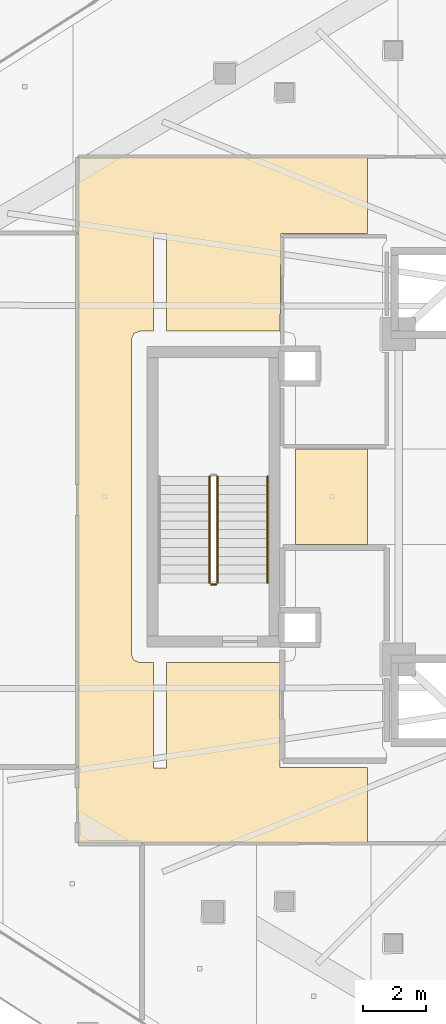
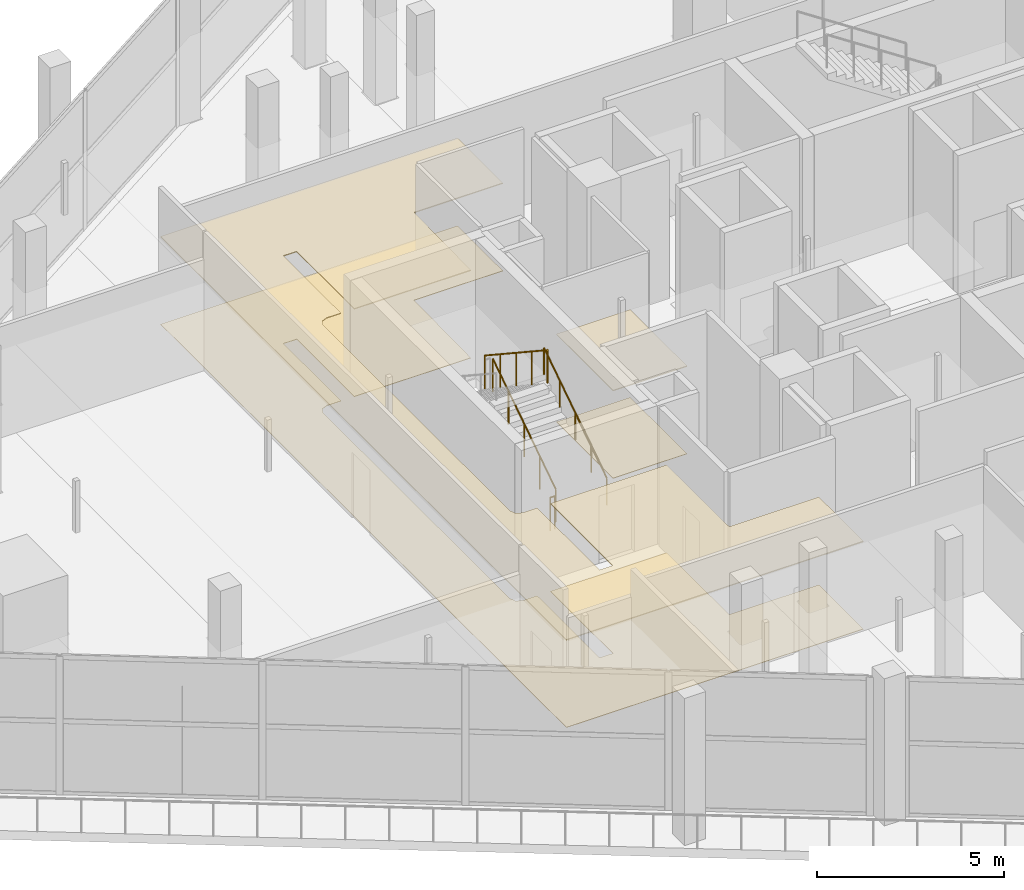
# One storey, part 34 of 42: 4 coverings, 4 railings.
"""IFC4 building model written with IfcOpenShell, lengths in metres."""

from ifc_helpers import new_model, si_unit, direction, frame, origin, origin_2d, place, context, subcontext, project, spatial, polyline, circle, outline, extrude, material, layer, layer_set, type_object, element, save


model = new_model("IFC4")

# Units and contexts
model_context = context("Model", 3, precision=1e-05, world=origin(), true_north=direction((0.0, 1.0)))
body_context = subcontext(model_context, "Body", "Model", "MODEL_VIEW")
ifc_project = project(units=[si_unit("LENGTHUNIT", "METRE"), si_unit("AREAUNIT", "SQUARE_METRE"), si_unit("VOLUMEUNIT", "CUBIC_METRE"), si_unit("PLANEANGLEUNIT", "RADIAN"), si_unit("MASSUNIT", "GRAM", prefix="KILO")], contexts=[model_context])

# Site, building, storey
site_placement = place(None, origin())
site = spatial("IfcSite", under=ifc_project, at=site_placement, CompositionType="ELEMENT")
building_placement = place(site_placement, origin())
building = spatial("IfcBuilding", under=site, at=building_placement, Name="Qorvath Tower", CompositionType="ELEMENT")
storey_placement = place(building_placement, frame((0.0, 0.0, 105.0)))
storey = spatial("IfcBuildingStorey", under=building, at=storey_placement, Name="L23", CompositionType="ELEMENT", Elevation=105.0)

# Coverings
ifc_material_1 = material(Name="Acoustic mineral fibre ceiling tile", Category="gypsum")
ifc_layer_1 = layer(ifc_material_1, 0.030029296875)
ifc_layer_set_1 = layer_set([ifc_layer_1], Name="COV-CEIL")
covering_type_1 = type_object("IfcCoveringType", Name="COV-CEIL", PredefinedType="CEILING", material=ifc_layer_set_1)
covering_1_placement = place(storey_placement, frame((0.0, 0.0, 2.85009765625)))
element("IfcCovering", 1, at=covering_1_placement, inside=storey, type_object=covering_type_1, Name="L23 Suspended Acoustic Ceiling 005", PredefinedType="CEILING", context=body_context, shape_type="SweptSolid", body=[
    extrude(outline(polyline([(-31.481689453125, -10.945068359375), (-31.481689453125, -8.564697265625), (-34.25, -8.56494140625), (-34.2548828125, -5.239990234375), (-37.844970703125, -5.239990234375), (-37.844970703125, -8.580078125), (-38.2548828125, -8.580078125), (-38.2548828125, -5.239990234375), (-38.699951171875, -5.239990234375), (-38.876708984375, -5.166748046875), (-38.949951171875, -4.989990234375), (-38.949951171875, 4.989990234375), (-38.876708984375, 5.166748046875), (-38.699951171875, 5.239990234375), (-38.2548828125, 5.239990234375), (-38.25341796875, 8.323486328125), (-37.844970703125, 8.320068359375), (-37.844970703125, 5.239990234375), (-34.2509765625, 5.239990234375), (-34.219970703125, 8.324951171875), (-31.481689453125, 8.324951171875), (-31.481689453125, 10.7451171875), (-40.64501953125, 10.7451171875), (-40.64501953125, -10.945068359375), (-31.481689453125, -10.945068359375)])), origin(), (0.0, 0.0, 1.0), 0.030029296875),
])
covering_2_placement = place(storey_placement, frame((0.0, 0.0, 2.85009765625)))
element("IfcCovering", 2, at=covering_2_placement, inside=storey, type_object=covering_type_1, Name="L23 Suspended Acoustic Ceiling 006", PredefinedType="CEILING", context=body_context, shape_type="SweptSolid", body=[
    extrude(outline(polyline([(-31.481689453125, -1.514892578125), (-31.481689453125, 1.514892578125), (-33.760009765625, 1.514892578125), (-33.760009765625, -1.514892578125), (-31.481689453125, -1.514892578125)])), origin(), (0.0, 0.0, 1.0), 0.030029296875),
])
ifc_material_2 = material(Name="Polished epoxy terrazzo flooring", Category="concrete")
ifc_layer_2 = layer(ifc_material_2, 0.02001953125)
ifc_layer_set_2 = layer_set([ifc_layer_2], Name="COV-FLOOR-TRZ")
covering_type_2 = type_object("IfcCoveringType", Name="COV-FLOOR-TRZ", PredefinedType="FLOORING", material=ifc_layer_set_2)
covering_3_placement = place(storey_placement, origin())
element("IfcCovering", 3, at=covering_3_placement, inside=storey, type_object=covering_type_2, Name="L23 Floor Finish 005", PredefinedType="FLOORING", context=body_context, shape_type="SweptSolid", body=[
    extrude(outline(polyline([(-31.481689453125, -10.945068359375), (-31.481689453125, -8.564697265625), (-34.25, -8.56494140625), (-34.2548828125, -5.239990234375), (-37.844970703125, -5.239990234375), (-37.844970703125, -8.580078125), (-38.2548828125, -8.580078125), (-38.2548828125, -5.239990234375), (-38.699951171875, -5.239990234375), (-38.876708984375, -5.166748046875), (-38.949951171875, -4.989990234375), (-38.949951171875, 4.989990234375), (-38.876708984375, 5.166748046875), (-38.699951171875, 5.239990234375), (-38.2548828125, 5.239990234375), (-38.25341796875, 8.323486328125), (-37.844970703125, 8.320068359375), (-37.844970703125, 5.239990234375), (-34.2509765625, 5.239990234375), (-34.219970703125, 8.324951171875), (-31.481689453125, 8.324951171875), (-31.481689453125, 10.7451171875), (-40.64501953125, 10.7451171875), (-40.64501953125, -10.945068359375), (-31.481689453125, -10.945068359375)])), origin(), (0.0, 0.0, 1.0), 0.014892578125),
])
covering_4_placement = place(storey_placement, origin())
element("IfcCovering", 4, at=covering_4_placement, inside=storey, type_object=covering_type_2, Name="L23 Floor Finish 006", PredefinedType="FLOORING", context=body_context, shape_type="SweptSolid", body=[
    extrude(outline(polyline([(-31.481689453125, -1.514892578125), (-31.481689453125, 1.514892578125), (-33.760009765625, 1.514892578125), (-33.760009765625, -1.514892578125), (-31.481689453125, -1.514892578125)])), origin(), (0.0, 0.0, 1.0), 0.014892578125),
])

# Railings
ifc_material_3 = material(Name="Painted galvanised steel", Category="steel")
railing_type_1 = type_object("IfcRailingType", Name="RL-STR-GRD", PredefinedType="GUARDRAIL", material=ifc_material_3)
railing_1_placement = place(storey_placement, frame((-36.22998046875, -2.719970703125, 0.1845703125)))
element("IfcRailing", 5, at=railing_1_placement, inside=storey, type_object=railing_type_1, Name="L23 TS3 stair guard 1", PredefinedType="GUARDRAIL", context=body_context, shape_type="SweptSolid", body=[
    extrude(circle(Radius=0.02392578125, at=origin_2d()), frame((0.0, 0.0, 1.076171875), z_axis=(0.0, 0.834858096282, 0.550465220583), x_axis=(-1.0, 0.0, 0.0)), (0.0, 0.0, 1.0), 4.0244140625),
    extrude(circle(Radius=0.02099609375, at=origin_2d()), origin(), (0.0, 0.0, 1.0), 1.052001953125),
    extrude(circle(Radius=0.02099609375, at=origin_2d()), frame((0.0, 0.83984375, 0.5537109375)), (0.0, 0.0, 1.0), 1.052001953125),
    extrude(circle(Radius=0.02099609375, at=origin_2d()), frame((0.0, 1.679931640625, 1.107666015625)), (0.0, 0.0, 1.0), 1.052001953125),
    extrude(circle(Radius=0.02099609375, at=origin_2d()), frame((0.0, 2.52001953125, 1.66162109375)), (0.0, 0.0, 1.0), 1.052001953125),
    extrude(circle(Radius=0.02099609375, at=origin_2d()), frame((0.0, 3.35986328125, 2.21533203125)), (0.0, 0.0, 1.0), 1.052001953125),
])
railing_2_placement = place(storey_placement, frame((-36.47998046875, 0.639892578125, 2.584716796875)))
element("IfcRailing", 6, at=railing_2_placement, inside=storey, type_object=railing_type_1, Name="L23 TS3 stair guard 3", PredefinedType="GUARDRAIL", context=body_context, shape_type="SweptSolid", body=[
    extrude(circle(Radius=0.02392578125, at=origin_2d()), frame((0.0, 0.0, 1.076171875), z_axis=(0.0, -0.834858096282, 0.550465220583), x_axis=(1.0, 0.0, 0.0)), (0.0, 0.0, 1.0), 4.0244140625),
    extrude(circle(Radius=0.02099609375, at=origin_2d()), origin(), (0.0, 0.0, 1.0), 1.052001953125),
    extrude(circle(Radius=0.02099609375, at=origin_2d()), frame((0.0, -0.83984375, 0.5537109375)), (0.0, 0.0, 1.0), 1.052001953125),
    extrude(circle(Radius=0.02099609375, at=origin_2d()), frame((0.0, -1.679931640625, 1.107666015625)), (0.0, 0.0, 1.0), 1.052001953125),
    extrude(circle(Radius=0.02099609375, at=origin_2d()), frame((0.0, -2.52001953125, 1.66162109375)), (0.0, 0.0, 1.0), 1.052001953125),
    extrude(circle(Radius=0.02099609375, at=origin_2d()), frame((0.0, -3.35986328125, 2.21533203125)), (0.0, 0.0, 1.0), 1.052001953125),
])
railing_3_placement = place(storey_placement, frame((-36.280029296875, -2.77001953125, 0.0)))
element("IfcRailing", 7, at=railing_3_placement, inside=storey, type_object=railing_type_1, Name="L23 TS3 stair guard 4", PredefinedType="GUARDRAIL", context=body_context, shape_type="SweptSolid", body=[
    extrude(circle(Radius=0.02392578125, at=origin_2d()), frame((0.0, 0.0, 1.076171875), z_axis=(-1.0, 0.0, 0.0), x_axis=(0.0, -1.0, 0.0)), (0.0, 0.0, 1.0), 0.14990234375),
    extrude(circle(Radius=0.02099609375, at=origin_2d()), origin(), (0.0, 0.0, 1.0), 1.052001953125),
    extrude(circle(Radius=0.02099609375, at=origin_2d()), frame((-0.14990234375, 0.0, 0.0)), (0.0, 0.0, 1.0), 1.052001953125),
])
ifc_material_4 = material(Name="Brushed stainless steel AISI 304", Category="steel")
railing_type_2 = type_object("IfcRailingType", Name="RL-STR-HND", PredefinedType="HANDRAIL", material=ifc_material_4)
railing_4_placement = place(storey_placement, frame((-34.64990234375, -2.719970703125, 0.1845703125)))
element("IfcRailing", 8, at=railing_4_placement, inside=storey, type_object=railing_type_2, Name="L23 TS3 stair handrail 1", PredefinedType="HANDRAIL", context=body_context, shape_type="SweptSolid", body=[
    extrude(circle(Radius=0.02392578125, at=origin_2d()), frame((0.0, 0.0, 0.8759765625), z_axis=(0.0, 0.834858096282, 0.550465220583), x_axis=(-1.0, 0.0, 0.0)), (0.0, 0.0, 1.0), 4.0244140625),
    extrude(circle(Radius=0.02099609375, at=origin_2d()), origin(), (0.0, 0.0, 1.0), 0.851806640625),
    extrude(circle(Radius=0.02099609375, at=origin_2d()), frame((0.0, 0.83984375, 0.5537109375)), (0.0, 0.0, 1.0), 0.851806640625),
    extrude(circle(Radius=0.02099609375, at=origin_2d()), frame((0.0, 1.679931640625, 1.107666015625)), (0.0, 0.0, 1.0), 0.851806640625),
    extrude(circle(Radius=0.02099609375, at=origin_2d()), frame((0.0, 2.52001953125, 1.66162109375)), (0.0, 0.0, 1.0), 0.851806640625),
    extrude(circle(Radius=0.02099609375, at=origin_2d()), frame((0.0, 3.35986328125, 2.21533203125)), (0.0, 0.0, 1.0), 0.851806640625),
])

save(model, "model.ifc")
